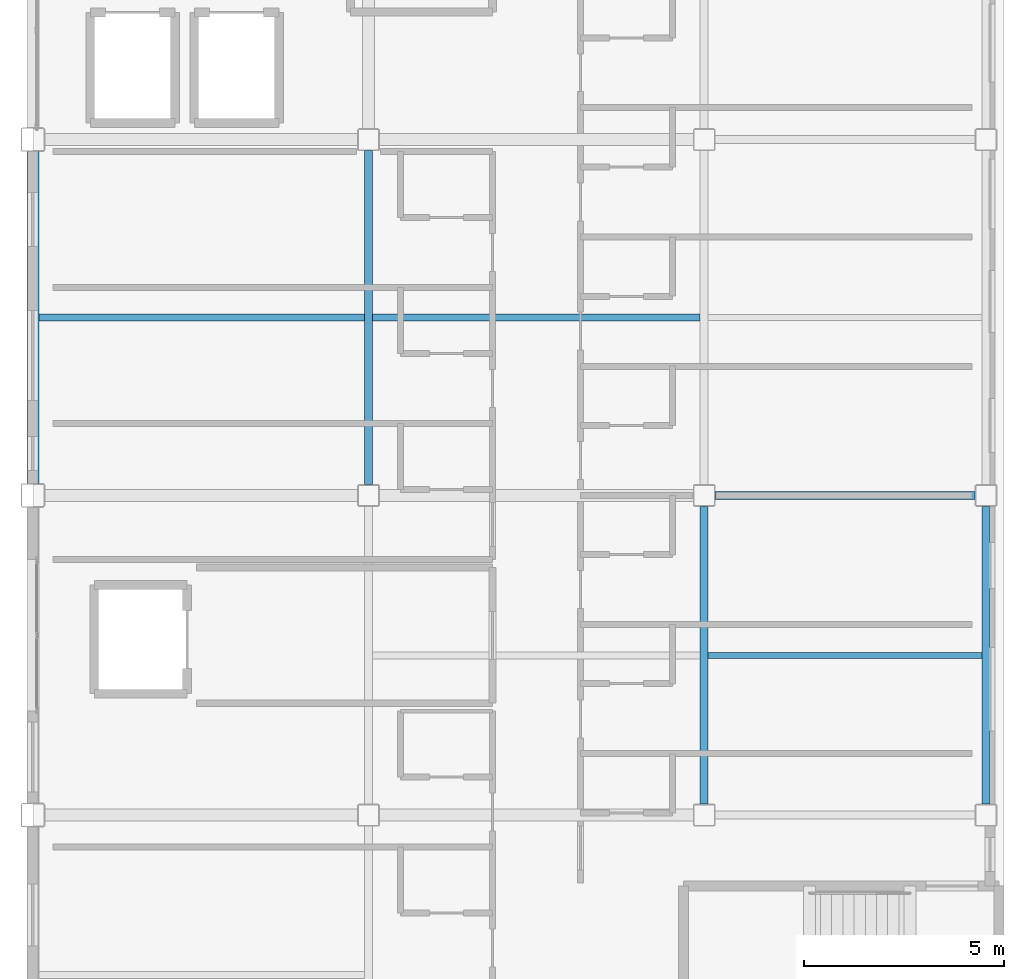
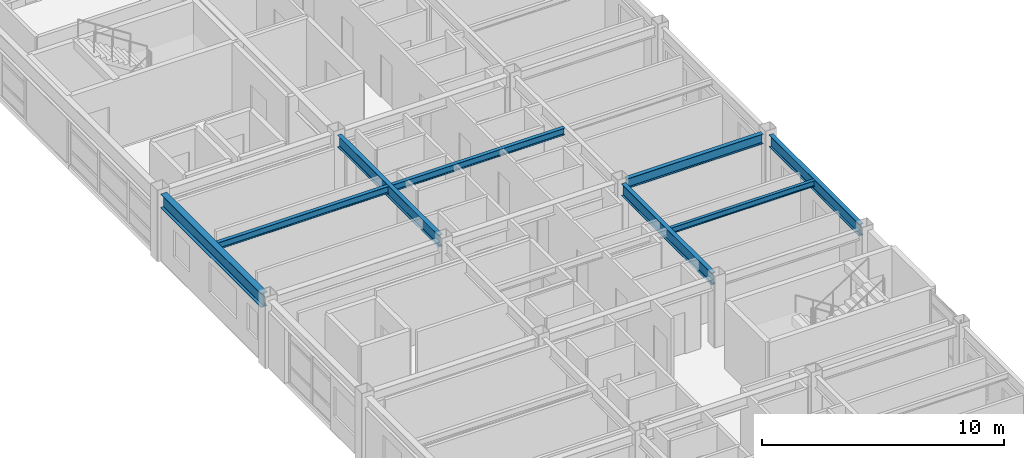
# One storey, part 12 of 36: 8 beams.
"""IFC4 building model written with IfcOpenShell, lengths in metres."""

from ifc_helpers import new_model, si_unit, direction, frame, origin, origin_2d, place, context, subcontext, project, spatial, i_section, extrude, material, material_profile, profile_set, type_object, element, save


model = new_model("IFC4")

# Units and contexts
model_context = context("Model", 3, precision=1e-05, world=origin(), true_north=direction((0.0, 1.0)))
body_context = subcontext(model_context, "Body", "Model", "MODEL_VIEW")
ifc_project = project(units=[si_unit("LENGTHUNIT", "METRE"), si_unit("AREAUNIT", "SQUARE_METRE"), si_unit("VOLUMEUNIT", "CUBIC_METRE"), si_unit("PLANEANGLEUNIT", "RADIAN"), si_unit("MASSUNIT", "GRAM", prefix="KILO")], contexts=[model_context])

# Site, building, storey
site_placement = place(None, origin())
site = spatial("IfcSite", under=ifc_project, at=site_placement, CompositionType="ELEMENT")
building_placement = place(site_placement, origin())
building = spatial("IfcBuilding", under=site, at=building_placement, Name="Kazehara Bluff Congress Hotel", CompositionType="ELEMENT")
storey_placement = place(building_placement, frame((0.0, 0.0, 28.199951171875)))
storey = spatial("IfcBuildingStorey", under=building, at=storey_placement, Name="L06", CompositionType="ELEMENT", Elevation=28.199951171875)

# Beams
ifc_material_1 = material(Name="Steel SN490B", Category="steel")
ifc_material_profile_1 = material_profile(ifc_material_1, i_section(OverallWidth=0.199951171875, OverallDepth=0.5, WebThickness=0.010009765625, FlangeThickness=0.01611328125, FilletRadius=0.012939453125, at=origin_2d()))
ifc_profile_set_1 = profile_set([ifc_material_profile_1], Name="Steel SN490B")
beam_type_1 = type_object("IfcBeamType", Name="TP-G-01", PredefinedType="BEAM", material=ifc_profile_set_1)
beam_1_placement = place(storey_placement, frame((160.77490234375, 32.0, 3.130126953125), z_axis=(1.0, 0.0, 0.0), x_axis=(0.0, 1.0, 0.0)))
element("IfcBeam", 1, at=beam_1_placement, inside=storey, type_object=beam_type_1, Name="L06 girder G-01 58", PredefinedType="BEAM", context=body_context, shape_type="SweptSolid", body=[
    extrude(i_section(OverallWidth=0.199951171875, OverallDepth=0.5, WebThickness=0.010009765625, FlangeThickness=0.01611328125, FilletRadius=0.012939453125, at=origin_2d()), origin(), (0.0, 0.0, 1.0), 6.5),
])
ifc_material_2 = material(Name="Steel SN490B", Category="steel")
ifc_material_profile_2 = material_profile(ifc_material_2, i_section(OverallWidth=0.199951171875, OverallDepth=0.60009765625, WebThickness=0.010986328125, FlangeThickness=0.01708984375, FilletRadius=0.012939453125, at=origin_2d()))
ifc_profile_set_2 = profile_set([ifc_material_profile_2], Name="Steel SN490B")
beam_type_2 = type_object("IfcBeamType", Name="TP-G-02", PredefinedType="BEAM", material=ifc_profile_set_2)
beam_2_placement = place(storey_placement, frame((152.10009765625, 32.27490234375, 3.080078125), z_axis=(0.0, 1.0, 0.0), x_axis=(-1.0, 0.0, 0.0)))
element("IfcBeam", 2, at=beam_2_placement, inside=storey, type_object=beam_type_2, Name="L06 girder G-02 17", PredefinedType="BEAM", context=body_context, shape_type="SweptSolid", body=[
    extrude(i_section(OverallWidth=0.199951171875, OverallDepth=0.60009765625, WebThickness=0.010986328125, FlangeThickness=0.01708984375, FilletRadius=0.012939453125, at=origin_2d()), origin(), (0.0, 0.0, 1.0), 8.35009765625),
])
for number, where, z_axis, x_axis, name in (
    (3, (160.5, 24.27490234375, 3.080078125), (0.0, 1.0, 0.0), (-1.0, 0.0, 0.0), "L06 girder G-02 26"),
    (4, (167.550048828125, 24.27490234375, 3.080078125), (0.0, 1.0, 0.0), (-1.0, 0.0, 0.0), "L06 girder G-02 36"),
):
    element("IfcBeam", number, at=place(storey_placement, frame(where, z_axis=z_axis, x_axis=x_axis)), inside=storey, type_object=beam_type_2, Name=name, PredefinedType="BEAM", context=body_context, shape_type="SweptSolid", body=[
        extrude(i_section(OverallWidth=0.199951171875, OverallDepth=0.60009765625, WebThickness=0.010986328125, FlangeThickness=0.01708984375, FilletRadius=0.012939453125, at=origin_2d()), origin(), (0.0, 0.0, 1.0), 7.4501953125),
    ])
ifc_material_3 = material(Name="Steel SN400B", Category="steel")
ifc_material_profile_3 = material_profile(ifc_material_3, i_section(OverallWidth=0.14990234375, OverallDepth=0.300048828125, WebThickness=0.006591796875, FlangeThickness=0.009033203125, FilletRadius=0.012939453125, at=origin_2d()))
ifc_profile_set_3 = profile_set([ifc_material_profile_3], Name="Steel SN400B")
beam_type_3 = type_object("IfcBeamType", Name="TP-J-01", PredefinedType="JOIST", material=ifc_profile_set_3)
beam_3_placement = place(storey_placement, frame((160.60009765625, 28.0, 3.22998046875), z_axis=(1.0, 0.0, 0.0), x_axis=(0.0, 1.0, 0.0)))
element("IfcBeam", 5, at=beam_3_placement, inside=storey, type_object=beam_type_3, Name="L06 secondary joist J-01 19", PredefinedType="JOIST", context=body_context, shape_type="SweptSolid", body=[
    extrude(i_section(OverallWidth=0.14990234375, OverallDepth=0.300048828125, WebThickness=0.006591796875, FlangeThickness=0.009033203125, FilletRadius=0.012939453125, at=origin_2d()), origin(), (0.0, 0.0, 1.0), 6.849853515625),
])
ifc_material_4 = material(Name="Steel SN400B", Category="steel")
ifc_material_profile_4 = material_profile(ifc_material_4, i_section(OverallWidth=0.175048828125, OverallDepth=0.35009765625, WebThickness=0.007080078125, FlangeThickness=0.010986328125, FilletRadius=0.012939453125, at=origin_2d()))
ifc_profile_set_4 = profile_set([ifc_material_profile_4], Name="Steel SN400B")
beam_type_4 = type_object("IfcBeamType", Name="TP-J-02", PredefinedType="JOIST", material=ifc_profile_set_4)
beam_4_placement = place(storey_placement, frame((143.85009765625, 36.449951171875, 3.205078125), z_axis=(1.0, 0.0, 0.0), x_axis=(0.0, 1.0, 0.0)))
element("IfcBeam", 6, at=beam_4_placement, inside=storey, type_object=beam_type_4, Name="L06 secondary joist J-02 4", PredefinedType="JOIST", context=body_context, shape_type="SweptSolid", body=[
    extrude(i_section(OverallWidth=0.175048828125, OverallDepth=0.35009765625, WebThickness=0.007080078125, FlangeThickness=0.010986328125, FilletRadius=0.012939453125, at=origin_2d()), origin(), (0.0, 0.0, 1.0), 8.14990234375),
])
beam_5_placement = place(storey_placement, frame((152.199951171875, 36.449951171875, 3.205078125), z_axis=(1.0, 0.0, 0.0), x_axis=(0.0, 1.0, 0.0)))
element("IfcBeam", 7, at=beam_5_placement, inside=storey, type_object=beam_type_4, Name="L06 secondary joist J-02 13", PredefinedType="JOIST", context=body_context, shape_type="SweptSolid", body=[
    extrude(i_section(OverallWidth=0.175048828125, OverallDepth=0.35009765625, WebThickness=0.007080078125, FlangeThickness=0.010986328125, FilletRadius=0.012939453125, at=origin_2d()), origin(), (0.0, 0.0, 1.0), 8.199951171875),
])
ifc_material_5 = material(Name="Steel SN490B", Category="steel")
ifc_material_profile_5 = material_profile(ifc_material_5, i_section(OverallWidth=0.300048828125, OverallDepth=0.699951171875, WebThickness=0.012939453125, FlangeThickness=0.02392578125, FilletRadius=0.01806640625, at=origin_2d()))
ifc_profile_set_5 = profile_set([ifc_material_profile_5], Name="Steel SN490B")
beam_type_5 = type_object("IfcBeamType", Name="TP-SP-03", PredefinedType="SPANDREL", material=ifc_profile_set_5)
beam_6_placement = place(storey_placement, frame((143.699951171875, 32.300048828125, 3.030029296875), z_axis=(0.0, 1.0, 0.0), x_axis=(-1.0, 0.0, 0.0)))
element("IfcBeam", 8, at=beam_6_placement, inside=storey, type_object=beam_type_5, Name="L06 girder SP-03 5", PredefinedType="SPANDREL", context=body_context, shape_type="SweptSolid", body=[
    extrude(i_section(OverallWidth=0.300048828125, OverallDepth=0.699951171875, WebThickness=0.012939453125, FlangeThickness=0.02392578125, FilletRadius=0.01806640625, at=origin_2d()), origin(), (0.0, 0.0, 1.0), 8.300048828125),
])

save(model, "model.ifc")
